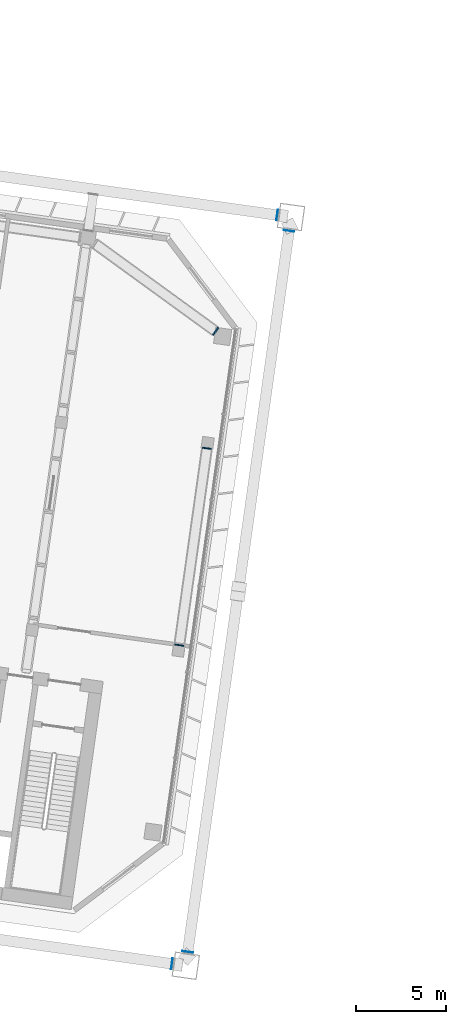
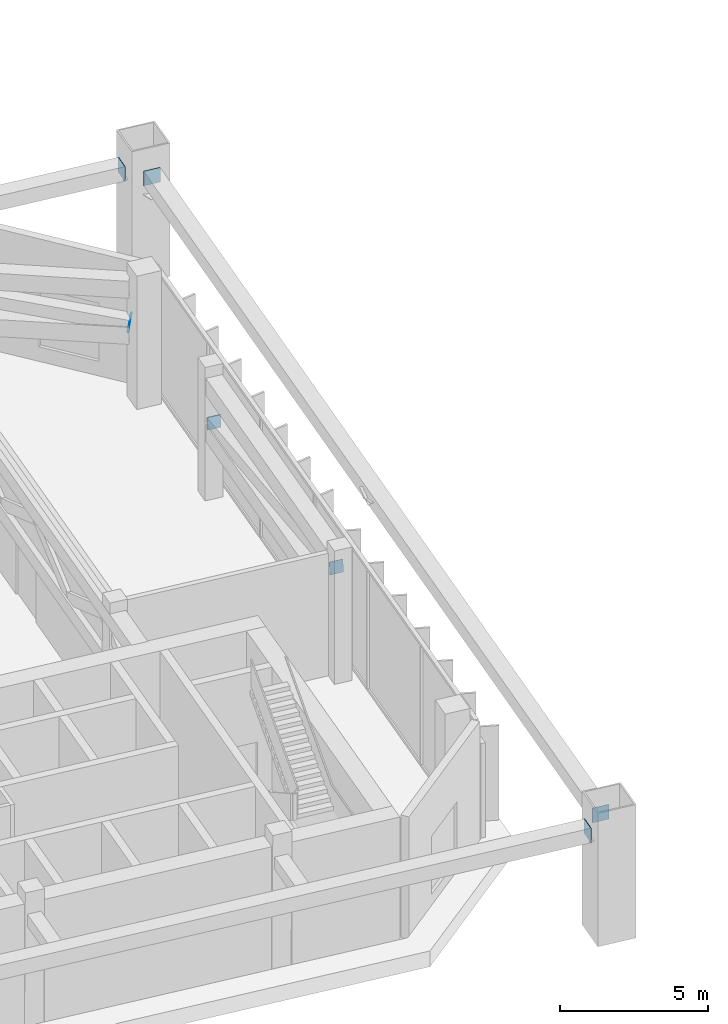
# One storey, part 33 of 41: 7 discrete accessories.
"""IFC4 building model written with IfcOpenShell, lengths in metres."""

from ifc_helpers import new_model, si_unit, direction, frame, origin, origin_2d, place, context, subcontext, project, spatial, rectangle, extrude, material, material_profile, profile_set, type_object, element, save


model = new_model("IFC4")

# Units and contexts
model_context = context("Model", 3, precision=1e-05, world=origin(), true_north=direction((0.0, 1.0)))
body_context = subcontext(model_context, "Body", "Model", "MODEL_VIEW")
ifc_project = project(units=[si_unit("LENGTHUNIT", "METRE"), si_unit("AREAUNIT", "SQUARE_METRE"), si_unit("VOLUMEUNIT", "CUBIC_METRE"), si_unit("PLANEANGLEUNIT", "RADIAN"), si_unit("MASSUNIT", "GRAM", prefix="KILO")], contexts=[model_context])

# Site, building, storey
site_placement = place(None, origin())
site = spatial("IfcSite", under=ifc_project, at=site_placement, CompositionType="ELEMENT")
building_placement = place(site_placement, origin())
building = spatial("IfcBuilding", under=site, at=building_placement, Name="Mirante Cascada Hotel Towers", CompositionType="ELEMENT")
storey_placement = place(building_placement, frame((0.0, 0.0, 151.9)))
storey = spatial("IfcBuildingStorey", under=building, at=storey_placement, Name="L35", CompositionType="ELEMENT", Elevation=151.9)

# Discrete accessories
ifc_material_1 = material(Name="Steel ASTM A572 Gr 50", Category="steel")
ifc_material_profile_1 = material_profile(ifc_material_1, rectangle(XDim=0.5, YDim=0.5, at=origin_2d()), Name="Connection plate 500x500x25 ASTM A572 Gr 50")
ifc_profile_set_1 = profile_set([ifc_material_profile_1], Name="Steel ASTM A572 Gr 50")
discrete_accessory_type_1 = type_object("IfcDiscreteAccessoryType", Name="Connection plate 500x500x25 ASTM A572 Gr 50", PredefinedType="BRACKET", material=ifc_profile_set_1)
for number, where, z_axis, x_axis, name in (
    (1, (-29.2439, 12.1562, 3.1482), (-0.7992842, 0.5834774, 0.1438711), (-0.5896115, -0.807687, 0.0), "Connection plate BT35D"),
    (2, (-31.2699, -5.2877, 4.3514), (0.1360479, 0.9843466, -0.1120394), (-0.9905835, 0.1369099, 0.0), "Connection plate BT35D"),
    (3, (-29.7334, 5.6449, 3.1514), (0.1360479, 0.9843466, -0.1120394), (-0.9905835, 0.1369099, 0.0), "Connection plate BT35D"),
):
    element("IfcDiscreteAccessory", number, at=place(storey_placement, frame(where, z_axis=z_axis, x_axis=x_axis)), inside=storey, type_object=discrete_accessory_type_1, Name=name, PredefinedType="BRACKET", context=body_context, shape_type="SweptSolid", body=[
        extrude(rectangle(XDim=0.5, YDim=0.5, at=origin_2d()), origin(), (0.0, 0.0, 1.0), 0.025),
    ])
ifc_material_2 = material(Name="Steel ASTM A572 Gr 50", Category="steel")
ifc_material_profile_2 = material_profile(ifc_material_2, rectangle(XDim=0.6, YDim=0.6, at=origin_2d()), Name="Connection plate 600x600x25 ASTM A572 Gr 50")
ifc_profile_set_2 = profile_set([ifc_material_profile_2], Name="Steel ASTM A572 Gr 50")
discrete_accessory_type_2 = type_object("IfcDiscreteAccessoryType", Name="Connection plate 600x600x25 ASTM A572 Gr 50", PredefinedType="BRACKET", material=ifc_profile_set_2)
discrete_accessory_1_placement = place(storey_placement, frame((-25.8215, 18.6191, 4.35), z_axis=(-0.9901092, 0.1402989, 0.0), x_axis=(-0.1402989, -0.9901092, 0.0)))
element("IfcDiscreteAccessory", 4, at=discrete_accessory_1_placement, inside=storey, type_object=discrete_accessory_type_2, Name="Connection plate NCH", PredefinedType="BRACKET", context=body_context, shape_type="SweptSolid", body=[
    extrude(rectangle(XDim=0.6, YDim=0.6, at=origin_2d()), origin(), (0.0, 0.0, 1.0), 0.0249),
])
discrete_accessory_2_placement = place(storey_placement, frame((-31.6667, -22.9721, 4.35), z_axis=(-0.9907327, 0.1358263, 0.0), x_axis=(-0.1358263, -0.9907327, 0.0)))
element("IfcDiscreteAccessory", 5, at=discrete_accessory_2_placement, inside=storey, type_object=discrete_accessory_type_2, Name="Connection plate NCH", PredefinedType="BRACKET", context=body_context, shape_type="SweptSolid", body=[
    extrude(rectangle(XDim=0.6, YDim=0.6, at=origin_2d()), origin(), (0.0, 0.0, 1.0), 0.025),
])
discrete_accessory_3_placement = place(storey_placement, frame((-30.7999, -22.3189, 4.35), z_axis=(0.1402989, 0.9901092, 0.0), x_axis=(-0.9901092, 0.1402989, 0.0)))
element("IfcDiscreteAccessory", 6, at=discrete_accessory_3_placement, inside=storey, type_object=discrete_accessory_type_2, Name="Connection plate NCH", PredefinedType="BRACKET", context=body_context, shape_type="SweptSolid", body=[
    extrude(rectangle(XDim=0.6, YDim=0.6, at=origin_2d()), origin(), (0.0, 0.0, 1.0), 0.0249),
])
discrete_accessory_4_placement = place(storey_placement, frame((-25.1717, 17.7275, 4.35), z_axis=(0.1397442, 0.9901876, 0.0), x_axis=(-0.9901876, 0.1397442, 0.0)))
element("IfcDiscreteAccessory", 7, at=discrete_accessory_4_placement, inside=storey, type_object=discrete_accessory_type_2, Name="Connection plate NCH", PredefinedType="BRACKET", context=body_context, shape_type="SweptSolid", body=[
    extrude(rectangle(XDim=0.6, YDim=0.6, at=origin_2d()), origin(), (0.0, 0.0, 1.0), 0.025),
])

save(model, "model.ifc")
